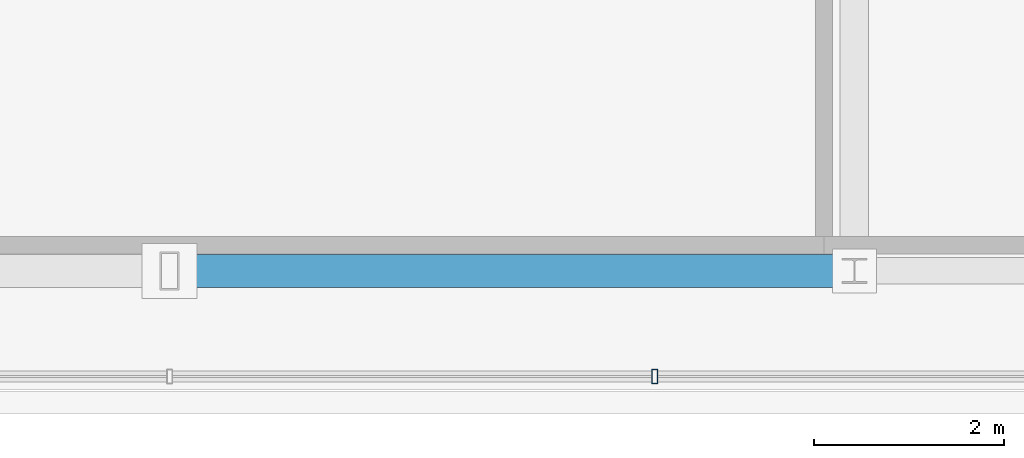
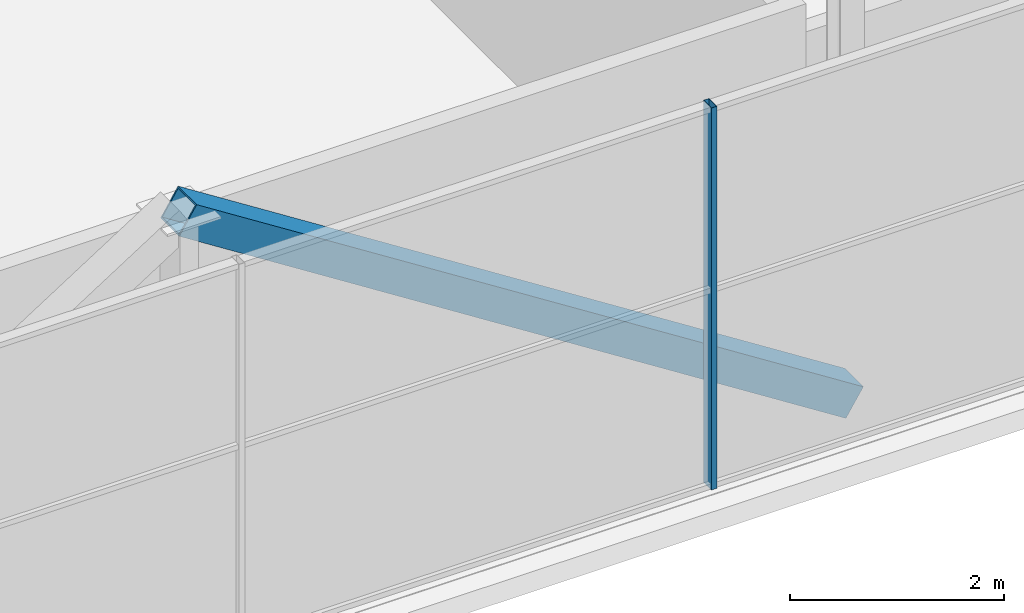
# One storey, part 10 of 28: 2 members, 1 element without a shape of its own.
"""IFC4 building model written with IfcOpenShell, lengths in metres."""

from ifc_helpers import new_model, si_unit, direction, frame, origin, origin_2d, place, context, subcontext, project, spatial, hollow_rectangle, extrude, source, transform, mapped, material, layer, layer_set, material_profile, profile_set, type_object, element, aggregate, save


model = new_model("IFC4")

# Units and contexts
model_context = context("Model", 3, precision=1e-05, world=origin(), true_north=direction((0.0, 1.0)))
body_context = subcontext(model_context, "Body", "Model", "MODEL_VIEW")
ifc_project = project(units=[si_unit("LENGTHUNIT", "METRE"), si_unit("AREAUNIT", "SQUARE_METRE"), si_unit("VOLUMEUNIT", "CUBIC_METRE"), si_unit("PLANEANGLEUNIT", "RADIAN"), si_unit("MASSUNIT", "GRAM", prefix="KILO")], contexts=[model_context])

# Site, building, storey
site_placement = place(None, origin())
site = spatial("IfcSite", under=ifc_project, at=site_placement, CompositionType="ELEMENT")
building_placement = place(site_placement, origin())
building = spatial("IfcBuilding", under=site, at=building_placement, Name="Zarnakvel Exchange Tower", CompositionType="ELEMENT")
storey_placement = place(building_placement, frame((0.0, 0.0, 290.0)))
storey = spatial("IfcBuildingStorey", under=building, at=storey_placement, Name="Crown L81", CompositionType="ELEMENT", Elevation=290.0)

# Member
ifc_material_1 = material(Name="Steel S355", Category="steel")
ifc_material_profile_1 = material_profile(ifc_material_1, hollow_rectangle(XDim=0.35009765625, YDim=0.35009765625, WallThickness=0.01611328125, at=origin_2d()))
ifc_profile_set_1 = profile_set([ifc_material_profile_1], Name="Steel S355")
member_type_1 = type_object("IfcMemberType", Name="CB-BR1", PredefinedType="BRACE", material=ifc_profile_set_1)
shared_shape_1 = source(origin(), body_context, "Body", "SweptSolid", [
    extrude(hollow_rectangle(XDim=0.35009765625, YDim=0.35009765625, WallThickness=0.01611328125, at=origin_2d()), origin(), (0.0, 0.0, 1.0), 8.5439453125),
])
member_1_placement = place(storey_placement, frame((7.199951171875, -14.550048828125, -0.360107421875), z_axis=(-0.842689417531, 0.0, 0.53839998661), x_axis=(0.0, -1.0, 0.0)))
element("IfcMember", 1, at=member_1_placement, inside=storey, type_object=member_type_1, Name="Crown L81 Crown Chevron Brace R (CB-BR1)", PredefinedType="BRACE", context=body_context, shape_type="MappedRepresentation", body=[
    mapped(shared_shape_1, transform((0.0, 0.0, 0.0), x_axis=(1.0, 0.0, 0.0), y_axis=(0.0, 1.0, 0.0), z_axis=(0.0, 0.0, 1.0), scale=1.0)),
])

# Curtain wall, member
ifc_material_2 = material(Name="Architectural Bronze Anodised Aluminium", Category="aluminium")
ifc_layer = layer(ifc_material_2, 0.14990234375)
ifc_layer_set = layer_set([ifc_layer], Name="Architectural Bronze Anodised Aluminium")
curtain_wall_type = type_object("IfcCurtainWallType", Name="CW-07", PredefinedType="NOTDEFINED", material=ifc_layer_set)
curtain_wall_placement = place(storey_placement, origin())
curtain_wall = element("IfcCurtainWall", 2, at=curtain_wall_placement, inside=storey, type_object=curtain_wall_type, Name="Crown L81 Curtain Wall CW-Crown L81-S (CW-07)", PredefinedType="NOTDEFINED")
ifc_material_profile_2 = material_profile(ifc_material_2, hollow_rectangle(XDim=0.14990234375, YDim=0.06005859375, WallThickness=0.00390625, at=origin_2d()))
ifc_profile_set_2 = profile_set([ifc_material_profile_2], Name="Architectural Bronze Anodised Aluminium")
member_type_2 = type_object("IfcMemberType", Name="CWM-07", PredefinedType="MULLION", material=ifc_profile_set_2)
shared_shape_2 = source(origin(), body_context, "Body", "SweptSolid", [
    extrude(hollow_rectangle(XDim=0.14990234375, YDim=0.06005859375, WallThickness=0.00390625, at=origin_2d()), origin(), (0.0, 0.0, 1.0), 4.360107421875),
])
member_2_placement = place(storey_placement, frame((5.10009765625, -15.659912109375, 0.0), z_axis=(0.0, 0.0, 1.0), x_axis=(0.0, 1.0, 0.0)))
member_2 = element("IfcMember", 3, at=member_2_placement, type_object=member_type_2, Name="CW-07 mullion 5", PredefinedType="MULLION", context=body_context, shape_type="MappedRepresentation", body=[
    mapped(shared_shape_2, transform((0.0, 0.0, 0.0), x_axis=(1.0, 0.0, 0.0), y_axis=(0.0, 1.0, 0.0), z_axis=(0.0, 0.0, 1.0), scale=1.0)),
])
aggregate(curtain_wall, [member_2])

save(model, "model.ifc")
